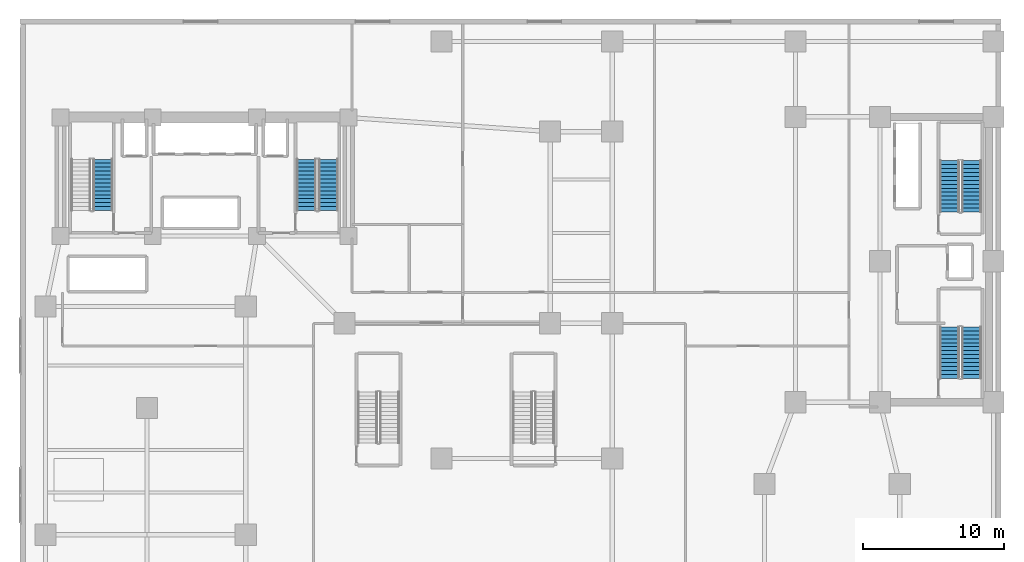
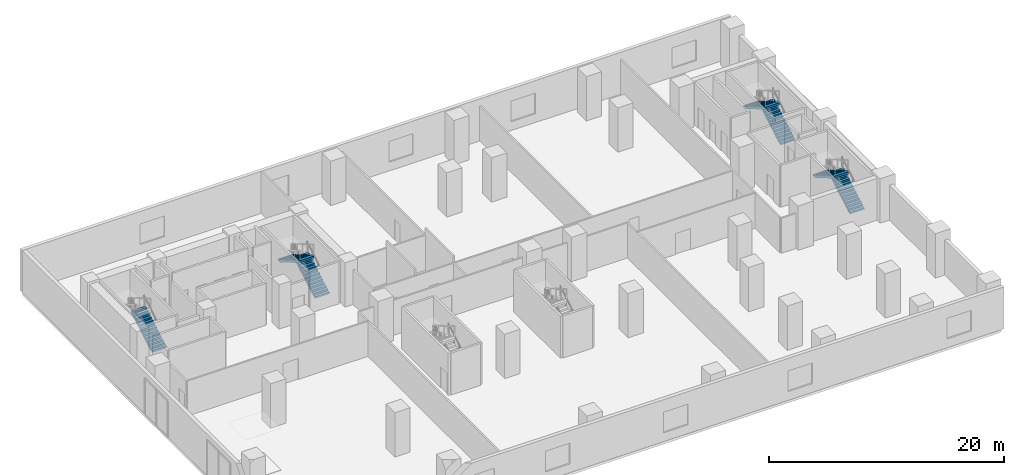
# One storey, part 11 of 14: 7 stair flights, 4 elements without a shape of their own.
"""IFC4 building model written with IfcOpenShell, lengths in metres."""

import ifcopenshell
import ifcopenshell.guid

model = None  # the IFC model being written
_history = None  # IfcOwnerHistory: only IFC2X3 demands one
_inside = {}  # id of a spatial element -> (the spatial element, [elements in it])
_under = {}  # id of a project, library or spatial element -> (it, [spatial elements below it])
_declared = {}  # id of a project -> (the project, [libraries it declares])
_typed = {}  # id of a type object -> (the type object, [elements of that type])
_made_of = {}  # id of a material, layer set ... -> (it, [elements and type objects made of it])


def new_model(schema):
    """Start an empty IFC model of exactly this schema.

    Asked for "IFC4X3", IfcOpenShell would pick the latest addendum, in which some entities
    have other attributes; the version numbers below select the first issue.
    IFC2X3 requires an IfcOwnerHistory on every rooted entity: one is made here for all.
    """
    global model, _history
    if schema == "IFC4X3":
        model = ifcopenshell.file(schema_version=(4, 3, 0, 0))
    else:
        model = ifcopenshell.file(schema=schema)
    _inside.clear()
    _under.clear()
    _declared.clear()
    _typed.clear()
    _made_of.clear()
    _history = None
    if model.schema == "IFC2X3":
        org = make("IfcOrganization", Name="unknown")
        user = make(
            "IfcPersonAndOrganization",
            ThePerson=make("IfcPerson", FamilyName="unknown"),
            TheOrganization=org,
        )
        app = make(
            "IfcApplication",
            ApplicationDeveloper=org,
            Version="unknown",
            ApplicationFullName="unknown",
            ApplicationIdentifier="unknown",
        )
        _history = make(
            "IfcOwnerHistory",
            OwningUser=user,
            OwningApplication=app,
            ChangeAction="ADDED",
            CreationDate=0,
        )
    return model


def make(cls, **values):
    """One entity of the class cls with the attributes given. An attribute that is None is left unset."""
    return model.create_entity(
        cls, **{name: value for name, value in values.items() if value is not None}
    )


def rooted(cls, **values):
    """An entity with a GlobalId (a new one), such as an element, a storey or a relation."""
    return make(cls, GlobalId=ifcopenshell.guid.new(), OwnerHistory=_history, **values)


def si_unit(unit_type, name, prefix=None):
    """IfcSIUnit, for example si_unit("LENGTHUNIT", "METRE", prefix="MILLI")."""
    return make("IfcSIUnit", UnitType=unit_type, Prefix=prefix, Name=name)


def assignment(units):
    """IfcUnitAssignment: the units of a project."""
    return None if units is None else make("IfcUnitAssignment", Units=units)


def point(xyz):
    """IfcCartesianPoint."""
    return None if xyz is None else make("IfcCartesianPoint", Coordinates=xyz)


def direction(xyz):
    """IfcDirection."""
    return None if xyz is None else make("IfcDirection", DirectionRatios=xyz)


def frame(location, z_axis=None, x_axis=None):
    """IfcAxis2Placement3D, a coordinate frame: its origin and axes. An axis left out is left unset."""
    return make(
        "IfcAxis2Placement3D",
        Location=point(location),
        Axis=direction(z_axis),
        RefDirection=direction(x_axis),
    )


def origin():
    """The frame at (0, 0, 0) with its axes left unset."""
    return frame((0.0, 0.0, 0.0))


def place(relative_to, where):
    """IfcLocalPlacement: puts the frame where relative to a parent placement (None: the world)."""
    return make(
        "IfcLocalPlacement", PlacementRelTo=relative_to, RelativePlacement=where
    )


def context(
    kind, dimensions, precision=None, world=None, true_north=None, identifier=None
):
    """IfcGeometricRepresentationContext, for example the 3D "Model" context."""
    return make(
        "IfcGeometricRepresentationContext",
        ContextIdentifier=identifier,
        ContextType=kind,
        CoordinateSpaceDimension=dimensions,
        Precision=precision,
        WorldCoordinateSystem=world,
        TrueNorth=true_north,
    )


def subcontext(parent, identifier, kind, view, scale=None):
    """IfcGeometricRepresentationSubContext, for example "Body" below "Model"."""
    return make(
        "IfcGeometricRepresentationSubContext",
        ContextIdentifier=identifier,
        ContextType=kind,
        ParentContext=parent,
        TargetScale=scale,
        TargetView=view,
    )


def project(units=None, contexts=None):
    """IfcProject with its units and contexts."""
    return rooted(
        "IfcProject",
        Name="project",
        RepresentationContexts=contexts,
        UnitsInContext=assignment(units),
    )


def spatial(cls, under=None, at=None, **own):
    """A site, building, storey or space (cls), placed at a placement, below another one or the project."""
    s = rooted(cls, ObjectPlacement=at, **own)
    if under is not None:
        _under.setdefault(under.id(), (under, []))[1].append(s)
    return s


def polyline(points):
    """IfcPolyline through the points."""
    return make("IfcPolyline", Points=[point(p) for p in points])


def outline(outer, holes=None, kind="AREA"):
    """IfcArbitraryClosedProfileDef: a profile drawn as a closed curve; with holes, ...WithVoids."""
    if holes is None:
        return make("IfcArbitraryClosedProfileDef", ProfileType=kind, OuterCurve=outer)
    return make(
        "IfcArbitraryProfileDefWithVoids",
        ProfileType=kind,
        OuterCurve=outer,
        InnerCurves=holes,
    )


def extrude(swept, where, along, depth):
    """IfcExtrudedAreaSolid: the profile swept, set in the frame where, extruded along a direction by depth."""
    return make(
        "IfcExtrudedAreaSolid",
        SweptArea=swept,
        Position=where,
        ExtrudedDirection=direction(along),
        Depth=depth,
    )


def shape(context_of_items, identifier, shape_type, items):
    """IfcShapeRepresentation: the items that make up one representation, for example the "Body"."""
    return make(
        "IfcShapeRepresentation",
        ContextOfItems=context_of_items,
        RepresentationIdentifier=identifier,
        RepresentationType=shape_type,
        Items=items,
    )


def material(Name=None, Category=None):
    """IfcMaterial."""
    return make("IfcMaterial", Name=Name, Category=Category)


def made_of(thing, what):
    """Note that an element or type object is made of a material, layer set ...; save() writes the relation."""
    if what is not None:
        _made_of.setdefault(what.id(), (what, []))[1].append(thing)
    return thing


def type_object(cls, material=None, **own):
    """A type object (cls), such as IfcWallType, which elements share."""
    return made_of(rooted(cls, **own), material)


def element(
    cls,
    number,
    at=None,
    inside=None,
    cuts=None,
    type_object=None,
    material=None,
    context=None,
    identifier="Body",
    shape_type=None,
    held_by="IfcProductDefinitionShape",
    body=None,
    shapes=None,
    **own,
):
    """One element of the class cls, such as IfcWall. Its Tag is "e" and its number.

    at: its placement. inside: the storey or other place that contains it. cuts: it is an
    opening in that element (IfcRelVoidsElement). A single representation is given by context,
    identifier, shape_type and body (its items); several are given by shapes. held_by: the class
    of the entity that holds the representations. save() writes the other relations.
    """
    e = rooted(cls, Tag="e%d" % number, ObjectPlacement=at, **own)
    if body is not None:
        shapes = [shape(context, identifier, shape_type, body)]
    if shapes is not None:
        e.Representation = make(held_by, Representations=shapes)
    if inside is not None:
        _inside.setdefault(inside.id(), (inside, []))[1].append(e)
    if cuts is not None:
        rooted(
            "IfcRelVoidsElement", RelatingBuildingElement=cuts, RelatedOpeningElement=e
        )
    if type_object is not None:
        _typed.setdefault(type_object.id(), (type_object, []))[1].append(e)
    return made_of(e, material)


def aggregate(whole, parts):
    """IfcRelAggregates: a whole, such as a stair, and the parts it consists of."""
    return rooted("IfcRelAggregates", RelatingObject=whole, RelatedObjects=parts)


def save(model, path):
    """Write the relations noted so far, then the file.

    IfcRelAggregates (storeys below a building ...), IfcRelContainedInSpatialStructure (elements
    in a storey), IfcRelDefinesByType, IfcRelAssociatesMaterial and IfcRelDeclares: one each for
    every whole, place, type object, material and project.
    """
    for whole, parts in _under.values():
        aggregate(whole, parts)
    for where, things in _inside.values():
        rooted(
            "IfcRelContainedInSpatialStructure",
            RelatedElements=things,
            RelatingStructure=where,
        )
    for kind, things in _typed.values():
        rooted("IfcRelDefinesByType", RelatedObjects=things, RelatingType=kind)
    for what, things in _made_of.values():
        rooted("IfcRelAssociatesMaterial", RelatedObjects=things, RelatingMaterial=what)
    for by, libraries in _declared.values():
        rooted("IfcRelDeclares", RelatingContext=by, RelatedDefinitions=libraries)
    model.write(path)


model = new_model("IFC4")

# Units and contexts
model_context = context("Model", 3, precision=1e-05, world=origin(), true_north=direction((0.0, 1.0)))
body_context = subcontext(model_context, "Body", "Model", "MODEL_VIEW")
ifc_project = project(units=[si_unit("LENGTHUNIT", "METRE"), si_unit("AREAUNIT", "SQUARE_METRE"), si_unit("VOLUMEUNIT", "CUBIC_METRE"), si_unit("PLANEANGLEUNIT", "RADIAN"), si_unit("MASSUNIT", "GRAM", prefix="KILO")], contexts=[model_context])

# Site, building, storey
site_placement = place(None, origin())
site = spatial("IfcSite", under=ifc_project, at=site_placement, CompositionType="ELEMENT")
building_placement = place(site_placement, origin())
building = spatial("IfcBuilding", under=site, at=building_placement, Name="Kuzgunbayir Cultural Tower", CompositionType="ELEMENT")
storey_placement = place(building_placement, frame((0.0, 0.0, 13.0)))
storey = spatial("IfcBuildingStorey", under=building, at=storey_placement, Name="L03", CompositionType="ELEMENT", Elevation=13.0)

# Stair, stair flight
ifc_material = material(Name="Concrete C40/50", Category="concrete")
stair_type = type_object("IfcStairType", Name="STR-EXIT-CORE", PredefinedType="HALF_TURN_STAIR", material=ifc_material)
stair_1_placement = place(storey_placement, origin())
stair_1 = element("IfcStair", 1, at=stair_1_placement, inside=storey, type_object=stair_type, Name="L03 ST-1", PredefinedType="HALF_TURN_STAIR")
stair_flight_type = type_object("IfcStairFlightType", Name="STRF-RC-140", PredefinedType="STRAIGHT", material=ifc_material)
stair_flight_1_placement = place(storey_placement, frame((9.4599609375, 35.60009765625, 0.0), z_axis=(0.0, 0.0, 1.0), x_axis=(0.0, 1.0, 0.0)))
stair_flight_1 = element("IfcStairFlight", 2, at=stair_flight_1_placement, type_object=stair_flight_type, Name="ST-1 flight 1", NumberOfRisers=14, NumberOfTreads=13, PredefinedType="STRAIGHT", RiserHeight=0.164285714, TreadLength=0.28, context=body_context, shape_type="SweptSolid", body=[
    extrude(outline(polyline([(0.0, 0.0), (0.0, 0.164306640625), (0.280029296875, 0.164306640625), (0.280029296875, 0.32861328125), (0.56005859375, 0.32861328125), (0.56005859375, 0.492919921875), (0.840087890625, 0.492919921875), (0.840087890625, 0.6572265625), (1.1201171875, 0.6572265625), (1.1201171875, 0.821533203125), (1.39990234375, 0.821533203125), (1.39990234375, 0.985595703125), (1.679931640625, 0.985595703125), (1.679931640625, 1.14990234375), (1.9599609375, 1.14990234375), (1.9599609375, 1.314208984375), (2.239990234375, 1.314208984375), (2.239990234375, 1.478515625), (2.52001953125, 1.478515625), (2.52001953125, 1.642822265625), (2.800048828125, 1.642822265625), (2.800048828125, 1.80712890625), (3.080078125, 1.80712890625), (3.080078125, 1.971435546875), (3.360107421875, 1.971435546875), (3.360107421875, 2.1357421875), (3.639892578125, 2.1357421875), (3.639892578125, 2.300048828125), (3.639892578125, 1.927001953125), (0.35546875, 0.0), (0.0, 0.0)])), frame((0.0, 0.699951171875, 0.0), z_axis=(0.0, -1.0, 0.0), x_axis=(1.0, 0.0, 0.0)), (0.0, 0.0, 1.0), 1.39990234375),
])
aggregate(stair_1, [stair_flight_1])

# Stair, stair flights
stair_2_placement = place(storey_placement, origin())
stair_2 = element("IfcStair", 3, at=stair_2_placement, inside=storey, type_object=stair_type, Name="L03 ST-2", PredefinedType="HALF_TURN_STAIR")
stair_flight_2_placement = place(storey_placement, frame((25.4599609375, 35.60009765625, 0.0), z_axis=(0.0, 0.0, 1.0), x_axis=(0.0, 1.0, 0.0)))
stair_flight_2 = element("IfcStairFlight", 4, at=stair_flight_2_placement, type_object=stair_flight_type, Name="ST-2 flight 1", NumberOfRisers=14, NumberOfTreads=13, PredefinedType="STRAIGHT", RiserHeight=0.164285714, TreadLength=0.28, context=body_context, shape_type="SweptSolid", body=[
    extrude(outline(polyline([(0.0, 0.0), (0.0, 0.164306640625), (0.280029296875, 0.164306640625), (0.280029296875, 0.32861328125), (0.56005859375, 0.32861328125), (0.56005859375, 0.492919921875), (0.840087890625, 0.492919921875), (0.840087890625, 0.6572265625), (1.1201171875, 0.6572265625), (1.1201171875, 0.821533203125), (1.39990234375, 0.821533203125), (1.39990234375, 0.985595703125), (1.679931640625, 0.985595703125), (1.679931640625, 1.14990234375), (1.9599609375, 1.14990234375), (1.9599609375, 1.314208984375), (2.239990234375, 1.314208984375), (2.239990234375, 1.478515625), (2.52001953125, 1.478515625), (2.52001953125, 1.642822265625), (2.800048828125, 1.642822265625), (2.800048828125, 1.80712890625), (3.080078125, 1.80712890625), (3.080078125, 1.971435546875), (3.360107421875, 1.971435546875), (3.360107421875, 2.1357421875), (3.639892578125, 2.1357421875), (3.639892578125, 2.300048828125), (3.639892578125, 1.927001953125), (0.35546875, 0.0), (0.0, 0.0)])), frame((0.0, 0.699951171875, 0.0), z_axis=(0.0, -1.0, 0.0), x_axis=(1.0, 0.0, 0.0)), (0.0, 0.0, 1.0), 1.39990234375),
])
stair_flight_3_placement = place(storey_placement, frame((23.89990234375, 39.239990234375, 2.300048828125), z_axis=(0.0, 0.0, 1.0), x_axis=(0.0, -1.0, 0.0)))
stair_flight_3 = element("IfcStairFlight", 5, at=stair_flight_3_placement, type_object=stair_flight_type, Name="ST-2 flight 2", NumberOfRisers=14, NumberOfTreads=13, PredefinedType="STRAIGHT", RiserHeight=0.164285714, TreadLength=0.28, context=body_context, shape_type="SweptSolid", body=[
    extrude(outline(polyline([(0.0, 0.0), (0.0, 0.164306640625), (0.280029296875, 0.164306640625), (0.280029296875, 0.32861328125), (0.56005859375, 0.32861328125), (0.56005859375, 0.492919921875), (0.840087890625, 0.492919921875), (0.840087890625, 0.6572265625), (1.1201171875, 0.6572265625), (1.1201171875, 0.821533203125), (1.39990234375, 0.821533203125), (1.39990234375, 0.985595703125), (1.679931640625, 0.985595703125), (1.679931640625, 1.14990234375), (1.9599609375, 1.14990234375), (1.9599609375, 1.314208984375), (2.239990234375, 1.314208984375), (2.239990234375, 1.478515625), (2.52001953125, 1.478515625), (2.52001953125, 1.642822265625), (2.800048828125, 1.642822265625), (2.800048828125, 1.80712890625), (3.080078125, 1.80712890625), (3.080078125, 1.971435546875), (3.360107421875, 1.971435546875), (3.360107421875, 2.1357421875), (3.639892578125, 2.1357421875), (3.639892578125, 2.300048828125), (3.639892578125, 1.927001953125), (0.35546875, 0.0), (0.0, 0.0)])), frame((0.0, 0.699951171875, 0.0), z_axis=(0.0, -1.0, 0.0), x_axis=(1.0, 0.0, 0.0)), (0.0, 0.0, 1.0), 1.39990234375),
])
aggregate(stair_2, [stair_flight_2, stair_flight_3])

stair_3_placement = place(storey_placement, origin())
stair_3 = element("IfcStair", 6, at=stair_3_placement, inside=storey, type_object=stair_type, Name="L03 ST-3", PredefinedType="HALF_TURN_STAIR")
stair_flight_4_placement = place(storey_placement, frame((71.10009765625, 23.699951171875, 0.0), z_axis=(0.0, 0.0, 1.0), x_axis=(0.0, 1.0, 0.0)))
stair_flight_4 = element("IfcStairFlight", 7, at=stair_flight_4_placement, type_object=stair_flight_type, Name="ST-3 flight 1", NumberOfRisers=14, NumberOfTreads=13, PredefinedType="STRAIGHT", RiserHeight=0.164285714, TreadLength=0.28, context=body_context, shape_type="SweptSolid", body=[
    extrude(outline(polyline([(0.0, 0.0), (0.0, 0.164306640625), (0.280029296875, 0.164306640625), (0.280029296875, 0.32861328125), (0.56005859375, 0.32861328125), (0.56005859375, 0.492919921875), (0.840087890625, 0.492919921875), (0.840087890625, 0.6572265625), (1.1201171875, 0.6572265625), (1.1201171875, 0.821533203125), (1.39990234375, 0.821533203125), (1.39990234375, 0.985595703125), (1.679931640625, 0.985595703125), (1.679931640625, 1.14990234375), (1.9599609375, 1.14990234375), (1.9599609375, 1.314208984375), (2.239990234375, 1.314208984375), (2.239990234375, 1.478515625), (2.52001953125, 1.478515625), (2.52001953125, 1.642822265625), (2.800048828125, 1.642822265625), (2.800048828125, 1.80712890625), (3.080078125, 1.80712890625), (3.080078125, 1.971435546875), (3.360107421875, 1.971435546875), (3.360107421875, 2.1357421875), (3.639892578125, 2.1357421875), (3.639892578125, 2.300048828125), (3.639892578125, 1.927001953125), (0.35546875, 0.0), (0.0, 0.0)])), frame((0.0, 0.699951171875, 0.0), z_axis=(0.0, -1.0, 0.0), x_axis=(1.0, 0.0, 0.0)), (0.0, 0.0, 1.0), 1.39990234375),
])
stair_flight_5_placement = place(storey_placement, frame((69.5400390625, 27.340087890625, 2.300048828125), z_axis=(0.0, 0.0, 1.0), x_axis=(0.0, -1.0, 0.0)))
stair_flight_5 = element("IfcStairFlight", 8, at=stair_flight_5_placement, type_object=stair_flight_type, Name="ST-3 flight 2", NumberOfRisers=14, NumberOfTreads=13, PredefinedType="STRAIGHT", RiserHeight=0.164285714, TreadLength=0.28, context=body_context, shape_type="SweptSolid", body=[
    extrude(outline(polyline([(0.0, 0.0), (0.0, 0.164306640625), (0.280029296875, 0.164306640625), (0.280029296875, 0.32861328125), (0.56005859375, 0.32861328125), (0.56005859375, 0.492919921875), (0.840087890625, 0.492919921875), (0.840087890625, 0.6572265625), (1.1201171875, 0.6572265625), (1.1201171875, 0.821533203125), (1.39990234375, 0.821533203125), (1.39990234375, 0.985595703125), (1.679931640625, 0.985595703125), (1.679931640625, 1.14990234375), (1.9599609375, 1.14990234375), (1.9599609375, 1.314208984375), (2.239990234375, 1.314208984375), (2.239990234375, 1.478515625), (2.52001953125, 1.478515625), (2.52001953125, 1.642822265625), (2.800048828125, 1.642822265625), (2.800048828125, 1.80712890625), (3.080078125, 1.80712890625), (3.080078125, 1.971435546875), (3.360107421875, 1.971435546875), (3.360107421875, 2.1357421875), (3.639892578125, 2.1357421875), (3.639892578125, 2.300048828125), (3.639892578125, 1.927001953125), (0.35546875, 0.0), (0.0, 0.0)])), frame((0.0, 0.699951171875, 0.0), z_axis=(0.0, -1.0, 0.0), x_axis=(1.0, 0.0, 0.0)), (0.0, 0.0, 1.0), 1.39990234375),
])
aggregate(stair_3, [stair_flight_4, stair_flight_5])

stair_4_placement = place(storey_placement, origin())
stair_4 = element("IfcStair", 9, at=stair_4_placement, inside=storey, type_object=stair_type, Name="L03 ST-4", PredefinedType="HALF_TURN_STAIR")
stair_flight_6_placement = place(storey_placement, frame((71.10009765625, 35.5, 0.0), z_axis=(0.0, 0.0, 1.0), x_axis=(0.0, 1.0, 0.0)))
stair_flight_6 = element("IfcStairFlight", 10, at=stair_flight_6_placement, type_object=stair_flight_type, Name="ST-4 flight 1", NumberOfRisers=14, NumberOfTreads=13, PredefinedType="STRAIGHT", RiserHeight=0.164285714, TreadLength=0.28, context=body_context, shape_type="SweptSolid", body=[
    extrude(outline(polyline([(0.0, 0.0), (0.0, 0.164306640625), (0.280029296875, 0.164306640625), (0.280029296875, 0.32861328125), (0.56005859375, 0.32861328125), (0.56005859375, 0.492919921875), (0.840087890625, 0.492919921875), (0.840087890625, 0.6572265625), (1.1201171875, 0.6572265625), (1.1201171875, 0.821533203125), (1.39990234375, 0.821533203125), (1.39990234375, 0.985595703125), (1.679931640625, 0.985595703125), (1.679931640625, 1.14990234375), (1.9599609375, 1.14990234375), (1.9599609375, 1.314208984375), (2.239990234375, 1.314208984375), (2.239990234375, 1.478515625), (2.52001953125, 1.478515625), (2.52001953125, 1.642822265625), (2.800048828125, 1.642822265625), (2.800048828125, 1.80712890625), (3.080078125, 1.80712890625), (3.080078125, 1.971435546875), (3.360107421875, 1.971435546875), (3.360107421875, 2.1357421875), (3.639892578125, 2.1357421875), (3.639892578125, 2.300048828125), (3.639892578125, 1.927001953125), (0.35546875, 0.0), (0.0, 0.0)])), frame((0.0, 0.699951171875, 0.0), z_axis=(0.0, -1.0, 0.0), x_axis=(1.0, 0.0, 0.0)), (0.0, 0.0, 1.0), 1.39990234375),
])
stair_flight_7_placement = place(storey_placement, frame((69.5400390625, 39.139892578125, 2.300048828125), z_axis=(0.0, 0.0, 1.0), x_axis=(0.0, -1.0, 0.0)))
stair_flight_7 = element("IfcStairFlight", 11, at=stair_flight_7_placement, type_object=stair_flight_type, Name="ST-4 flight 2", NumberOfRisers=14, NumberOfTreads=13, PredefinedType="STRAIGHT", RiserHeight=0.164285714, TreadLength=0.28, context=body_context, shape_type="SweptSolid", body=[
    extrude(outline(polyline([(0.0, 0.0), (0.0, 0.164306640625), (0.280029296875, 0.164306640625), (0.280029296875, 0.32861328125), (0.56005859375, 0.32861328125), (0.56005859375, 0.492919921875), (0.840087890625, 0.492919921875), (0.840087890625, 0.6572265625), (1.1201171875, 0.6572265625), (1.1201171875, 0.821533203125), (1.39990234375, 0.821533203125), (1.39990234375, 0.985595703125), (1.679931640625, 0.985595703125), (1.679931640625, 1.14990234375), (1.9599609375, 1.14990234375), (1.9599609375, 1.314208984375), (2.239990234375, 1.314208984375), (2.239990234375, 1.478515625), (2.52001953125, 1.478515625), (2.52001953125, 1.642822265625), (2.800048828125, 1.642822265625), (2.800048828125, 1.80712890625), (3.080078125, 1.80712890625), (3.080078125, 1.971435546875), (3.360107421875, 1.971435546875), (3.360107421875, 2.1357421875), (3.639892578125, 2.1357421875), (3.639892578125, 2.300048828125), (3.639892578125, 1.927001953125), (0.35546875, 0.0), (0.0, 0.0)])), frame((0.0, 0.699951171875, 0.0), z_axis=(0.0, -1.0, 0.0), x_axis=(1.0, 0.0, 0.0)), (0.0, 0.0, 1.0), 1.39990234375),
])
aggregate(stair_4, [stair_flight_6, stair_flight_7])

save(model, "model.ifc")
